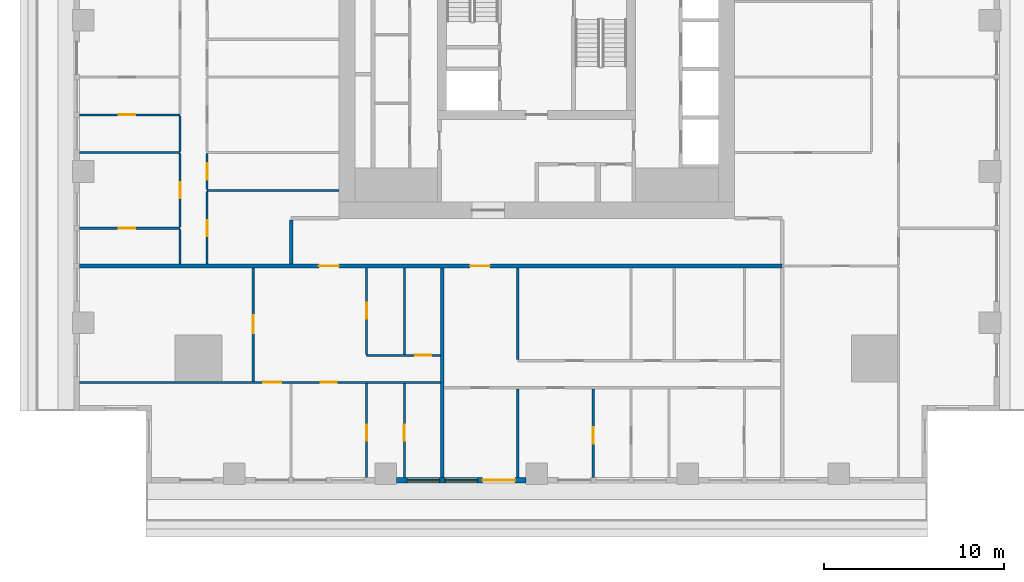
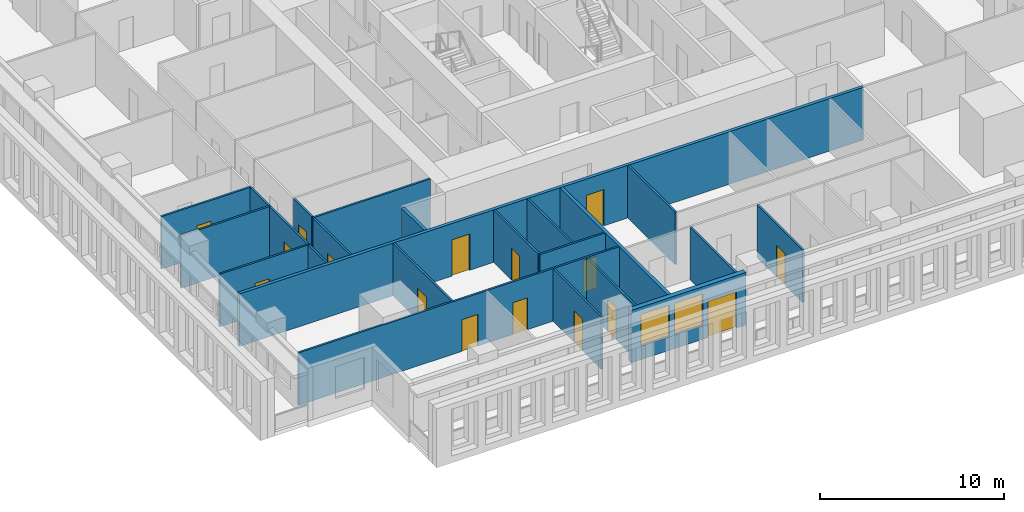
# One storey, part 2 of 16: 23 walls, 16 doors, 2 windows, 18 openings.
"""IFC4 building model written with IfcOpenShell, lengths in metres."""

from ifc_helpers import new_model, si_unit, direction, frame, frame_2d, origin, place, context, subcontext, project, spatial, rectangle, extrude, material, layer, layer_set, type_object, element, fill, save


model = new_model("IFC4")

# Units and contexts
model_context = context("Model", 3, precision=1e-05, world=origin(), true_north=direction((0.0, 1.0)))
body_context = subcontext(model_context, "Body", "Model", "MODEL_VIEW")
ifc_project = project(units=[si_unit("LENGTHUNIT", "METRE"), si_unit("AREAUNIT", "SQUARE_METRE"), si_unit("VOLUMEUNIT", "CUBIC_METRE"), si_unit("PLANEANGLEUNIT", "RADIAN"), si_unit("MASSUNIT", "GRAM", prefix="KILO")], contexts=[model_context])

# Site, building, storey
site_placement = place(None, origin())
site = spatial("IfcSite", under=ifc_project, at=site_placement, CompositionType="ELEMENT")
building_placement = place(site_placement, origin())
building = spatial("IfcBuilding", under=site, at=building_placement, Name="Khepri Terraces", CompositionType="ELEMENT")
storey_placement = place(building_placement, frame((0.0, 0.0, 157.199951171875)))
storey = spatial("IfcBuildingStorey", under=building, at=storey_placement, Name="L37", CompositionType="ELEMENT", Elevation=157.199951171875)

# Wall
ifc_material_1 = material(Name="Fire-rated gypsum plasterboard partition, mineral wool")
ifc_layer_1 = layer(ifc_material_1, 0.199951171875, Name="Fire-rated gypsum plasterboard partition, mineral wool")
ifc_layer_set_1 = layer_set([ifc_layer_1], Name="Fire-rated gypsum plasterboard partition, mineral wool")
wall_type_1 = type_object("IfcWallType", Name="WL-CORR-200", PredefinedType="PARTITIONING", material=ifc_layer_set_1)
wall_1_placement = place(storey_placement, frame((-5.25, -25.419921875, 0.0), z_axis=(0.0, 0.0, 1.0), x_axis=(0.0, 1.0, 0.0)))
element("IfcWall", 1, at=wall_1_placement, inside=storey, type_object=wall_type_1, Name="Partition P-004 L37", PredefinedType="PARTITIONING", context=body_context, shape_type="SweptSolid", body=[
    extrude(rectangle(XDim=11.669921875, YDim=0.199951171875, at=frame_2d((5.8349609375, 0.0))), origin(), (0.0, 0.0, 1.0), 3.47998046875),
])

# Wall, openings, doors
wall_2_placement = place(storey_placement, frame((-25.419921875, -13.64990234375, 0.0), z_axis=(0.0, 0.0, 1.0), x_axis=(1.0, 0.0, 0.0)))
wall_2 = element("IfcWall", 2, at=wall_2_placement, inside=storey, type_object=wall_type_1, Name="Partition P-023 L37", PredefinedType="PARTITIONING", context=body_context, shape_type="SweptSolid", body=[
    extrude(rectangle(XDim=39.06982421875, YDim=0.199951171875, at=frame_2d((19.534912109375, 0.0))), origin(), (0.0, 0.0, 1.0), 3.47998046875),
])
opening_1_placement = place(wall_2_placement, frame((13.320068359375, 0.0, 0.0)))
opening_1 = element("IfcOpeningElement", 3, at=opening_1_placement, cuts=wall_2, Name="Opening D1", PredefinedType="OPENING", context=body_context, shape_type="SweptSolid", body=[
    extrude(rectangle(XDim=1.10009765625, YDim=2.39990234375, at=frame_2d((0.550048828125, 1.199951171875))), frame((0.0, 0.10986328125, 0.0), z_axis=(0.0, -1.0, 0.0), x_axis=(1.0, 0.0, 0.0)), (0.0, 0.0, 1.0), 0.219970703125),
])
opening_2_placement = place(wall_2_placement, frame((21.719970703125, 0.0, 0.0)))
opening_2 = element("IfcOpeningElement", 4, at=opening_2_placement, cuts=wall_2, Name="Opening D1", PredefinedType="OPENING", context=body_context, shape_type="SweptSolid", body=[
    extrude(rectangle(XDim=1.10009765625, YDim=2.39990234375, at=frame_2d((0.550048828125, 1.199951171875))), frame((0.0, 0.10986328125, 0.0), z_axis=(0.0, -1.0, 0.0), x_axis=(1.0, 0.0, 0.0)), (0.0, 0.0, 1.0), 0.219970703125),
])
ifc_material_2 = material(Name="Solid-core timber door leaf, flat entrance door", Category="wood")
door_type_1 = type_object("IfcDoorType", Name="DR-ENT-1100", OperationType="NOTDEFINED", PredefinedType="DOOR", material=ifc_material_2)
door_1_placement = place(opening_1_placement, frame((1.10009765625, 0.0, 0.0), z_axis=(0.0, 0.0, 1.0), x_axis=(-1.0, 0.0, 0.0)))
door_1 = element("IfcDoor", 5, at=door_1_placement, inside=storey, type_object=door_type_1, Name="Flat A1 entrance door", OperationType="SINGLE_SWING_RIGHT", OverallHeight=2.39990234375, OverallWidth=1.10009765625, PredefinedType="DOOR", context=body_context, shape_type="SweptSolid", body=[
    extrude(rectangle(XDim=1.10009765625, YDim=2.39990234375, at=frame_2d((0.550048828125, 1.199951171875))), frame((0.0, 0.02490234375, 0.0), z_axis=(0.0, -1.0, 0.0), x_axis=(1.0, 0.0, 0.0)), (0.0, 0.0, 1.0), 0.050048828125),
])
fill(opening_1, door_1)
door_2_placement = place(opening_2_placement, frame((1.10009765625, 0.0, 0.0), z_axis=(0.0, 0.0, 1.0), x_axis=(-1.0, 0.0, 0.0)))
door_2 = element("IfcDoor", 6, at=door_2_placement, inside=storey, type_object=door_type_1, Name="Flat A2 entrance door", OperationType="SINGLE_SWING_LEFT", OverallHeight=2.39990234375, OverallWidth=1.10009765625, PredefinedType="DOOR", context=body_context, shape_type="SweptSolid", body=[
    extrude(rectangle(XDim=1.10009765625, YDim=2.39990234375, at=frame_2d((0.550048828125, 1.199951171875))), frame((0.0, 0.02490234375, 0.0), z_axis=(0.0, -1.0, 0.0), x_axis=(1.0, 0.0, 0.0)), (0.0, 0.0, 1.0), 0.050048828125),
])
fill(opening_2, door_2)

# Wall
wall_3_placement = place(storey_placement, frame((-13.64990234375, -13.550048828125, 0.0), z_axis=(0.0, 0.0, 1.0), x_axis=(0.0, 1.0, 0.0)))
element("IfcWall", 7, at=wall_3_placement, inside=storey, type_object=wall_type_1, Name="Partition P-028 L37", PredefinedType="PARTITIONING", context=body_context, shape_type="SweptSolid", body=[
    extrude(rectangle(XDim=2.449951171875, YDim=0.199951171875, at=frame_2d((1.22509765625, 0.0))), origin(), (0.0, 0.0, 1.0), 3.47998046875),
])

# Wall, openings, door, windows
ifc_material_3 = material(Name="Precast concrete C50/60 warm stone", Category="masonry")
ifc_layer_2 = layer(ifc_material_3, 0.300048828125, Name="Precast concrete C50/60 warm stone", Category="masonry")
ifc_layer_set_2 = layer_set([ifc_layer_2], Name="Precast concrete C50/60 warm stone")
wall_type_2 = type_object("IfcWallType", Name="WL-EXT-PRECAST-300", PredefinedType="STANDARD", material=ifc_layer_set_2)
wall_4_placement = place(storey_placement, frame((-7.800048828125, -25.570068359375, 0.0), z_axis=(0.0, 0.0, 1.0), x_axis=(1.0, 0.0, 0.0)))
wall_4 = element("IfcWall", 8, at=wall_4_placement, inside=storey, type_object=wall_type_2, Name="External wall L37 S", PredefinedType="STANDARD", context=body_context, shape_type="SweptSolid", body=[
    extrude(rectangle(XDim=7.199951171875, YDim=0.300048828125, at=frame_2d((3.60009765625, 0.0))), origin(), (0.0, 0.0, 1.0), 3.47998046875),
])
opening_3_placement = place(wall_4_placement, frame((0.60009765625, 0.0, 0.89990234375)))
opening_3 = element("IfcOpeningElement", 9, at=opening_3_placement, cuts=wall_4, Name="Opening W1", PredefinedType="OPENING", context=body_context, shape_type="SweptSolid", body=[
    extrude(rectangle(XDim=1.800048828125, YDim=2.10009765625, at=frame_2d((0.89990234375, 1.050048828125))), frame((0.0, 0.16015625, 0.0), z_axis=(0.0, -1.0, 0.0), x_axis=(1.0, 0.0, 0.0)), (0.0, 0.0, 1.0), 0.320068359375),
])
opening_4_placement = place(wall_4_placement, frame((2.699951171875, 0.0, 0.89990234375)))
opening_4 = element("IfcOpeningElement", 10, at=opening_4_placement, cuts=wall_4, Name="Opening W1", PredefinedType="OPENING", context=body_context, shape_type="SweptSolid", body=[
    extrude(rectangle(XDim=1.800048828125, YDim=2.10009765625, at=frame_2d((0.89990234375, 1.050048828125))), frame((0.0, 0.16015625, 0.0), z_axis=(0.0, -1.0, 0.0), x_axis=(1.0, 0.0, 0.0)), (0.0, 0.0, 1.0), 0.320068359375),
])
opening_5_placement = place(wall_4_placement, frame((4.800048828125, 0.0, 0.0)))
opening_5 = element("IfcOpeningElement", 11, at=opening_5_placement, cuts=wall_4, Name="Opening ED-L37-23", PredefinedType="OPENING", context=body_context, shape_type="SweptSolid", body=[
    extrude(rectangle(XDim=1.800048828125, YDim=2.39990234375, at=frame_2d((0.89990234375, 1.199951171875))), frame((0.0, 0.16015625, 0.0), z_axis=(0.0, -1.0, 0.0), x_axis=(1.0, 0.0, 0.0)), (0.0, 0.0, 1.0), 0.320068359375),
])
ifc_material_4 = material(Name="Anodised aluminium bronze glazed door", Category="aluminium")
door_type_2 = type_object("IfcDoorType", Name="DR-BAL-SLIDE-1800x2400", OperationType="NOTDEFINED", PredefinedType="DOOR", material=ifc_material_4)
door_3_placement = place(opening_5_placement, origin())
door_3 = element("IfcDoor", 12, at=door_3_placement, inside=storey, type_object=door_type_2, Name="Balcony door L37 S", OperationType="SLIDING_TO_RIGHT", OverallHeight=2.39990234375, OverallWidth=1.800048828125, PredefinedType="DOOR", context=body_context, shape_type="SweptSolid", body=[
    extrude(rectangle(XDim=1.800048828125, YDim=2.39990234375, at=frame_2d((0.89990234375, 1.199951171875))), frame((0.0, 0.02490234375, 0.0), z_axis=(0.0, -1.0, 0.0), x_axis=(1.0, 0.0, 0.0)), (0.0, 0.0, 1.0), 0.050048828125),
])
fill(opening_5, door_3)
ifc_material_5 = material(Name="Clear glass", Category="glass")
window_type = type_object("IfcWindowType", Name="WIN-RES-1800x2100", PartitioningType="SINGLE_PANEL", PredefinedType="WINDOW", material=ifc_material_5)
window_1_placement = place(opening_3_placement, origin())
window_1 = element("IfcWindow", 13, at=window_1_placement, inside=storey, type_object=window_type, Name="Window L37 S", OverallHeight=2.10009765625, OverallWidth=1.800048828125, PartitioningType="SINGLE_PANEL", PredefinedType="WINDOW", context=body_context, shape_type="SweptSolid", body=[
    extrude(rectangle(XDim=1.800048828125, YDim=2.10009765625, at=frame_2d((0.89990234375, 1.050048828125))), frame((0.0, 0.030029296875, 0.0), z_axis=(0.0, -1.0, 0.0), x_axis=(1.0, 0.0, 0.0)), (0.0, 0.0, 1.0), 0.06005859375),
])
fill(opening_3, window_1)
window_2_placement = place(opening_4_placement, origin())
window_2 = element("IfcWindow", 14, at=window_2_placement, inside=storey, type_object=window_type, Name="Window L37 S", OverallHeight=2.10009765625, OverallWidth=1.800048828125, PartitioningType="SINGLE_PANEL", PredefinedType="WINDOW", context=body_context, shape_type="SweptSolid", body=[
    extrude(rectangle(XDim=1.800048828125, YDim=2.10009765625, at=frame_2d((0.89990234375, 1.050048828125))), frame((0.0, 0.030029296875, 0.0), z_axis=(0.0, -1.0, 0.0), x_axis=(1.0, 0.0, 0.0)), (0.0, 0.0, 1.0), 0.06005859375),
])
fill(opening_4, window_2)

# Wall, opening, door
ifc_material_6 = material(Name="Gypsum plasterboard partition")
ifc_layer_3 = layer(ifc_material_6, 0.1201171875, Name="Gypsum plasterboard partition")
ifc_layer_set_3 = layer_set([ifc_layer_3], Name="Gypsum plasterboard partition")
wall_type_3 = type_object("IfcWallType", Name="WL-PART-120", PredefinedType="PARTITIONING", material=ifc_layer_set_3)
wall_5_placement = place(storey_placement, frame((-9.449951171875, -25.419921875, 0.0), z_axis=(0.0, 0.0, 1.0), x_axis=(0.0, 1.0, 0.0)))
wall_5 = element("IfcWall", 15, at=wall_5_placement, inside=storey, type_object=wall_type_3, Name="Partition P-002 L37", PredefinedType="PARTITIONING", context=body_context, shape_type="SweptSolid", body=[
    extrude(rectangle(XDim=5.239990234375, YDim=0.1201171875, at=frame_2d((2.6201171875, 0.0))), origin(), (0.0, 0.0, 1.0), 3.47998046875),
])
opening_6_placement = place(wall_5_placement, frame((2.050048828125, 0.0, 0.0)))
opening_6 = element("IfcOpeningElement", 16, at=opening_6_placement, cuts=wall_5, Name="Opening D3", PredefinedType="OPENING", context=body_context, shape_type="SweptSolid", body=[
    extrude(rectangle(XDim=0.89990234375, YDim=2.10009765625, at=frame_2d((0.449951171875, 1.050048828125))), frame((0.0, 0.070068359375, 0.0), z_axis=(0.0, -1.0, 0.0), x_axis=(1.0, 0.0, 0.0)), (0.0, 0.0, 1.0), 0.14013671875),
])
ifc_material_7 = material(Name="Timber door leaf", Category="wood")
door_type_3 = type_object("IfcDoorType", Name="DR-INT-900", OperationType="NOTDEFINED", PredefinedType="DOOR", material=ifc_material_7)
door_4_placement = place(opening_6_placement, frame((0.89990234375, 0.0, 0.0), z_axis=(0.0, 0.0, 1.0), x_axis=(-1.0, 0.0, 0.0)))
door_4 = element("IfcDoor", 17, at=door_4_placement, inside=storey, type_object=door_type_3, Name="Door Dressing Room", OperationType="SINGLE_SWING_RIGHT", OverallHeight=2.10009765625, OverallWidth=0.89990234375, PredefinedType="DOOR", context=body_context, shape_type="SweptSolid", body=[
    extrude(rectangle(XDim=0.89990234375, YDim=2.10009765625, at=frame_2d((0.449951171875, 1.050048828125))), frame((0.0, 0.02490234375, 0.0), z_axis=(0.0, -1.0, 0.0), x_axis=(1.0, 0.0, 0.0)), (0.0, 0.0, 1.0), 0.050048828125),
])
fill(opening_6, door_4)

wall_6_placement = place(storey_placement, frame((-7.35009765625, -25.419921875, 0.0), z_axis=(0.0, 0.0, 1.0), x_axis=(0.0, 1.0, 0.0)))
wall_6 = element("IfcWall", 18, at=wall_6_placement, inside=storey, type_object=wall_type_3, Name="Partition P-003 L37", PredefinedType="PARTITIONING", context=body_context, shape_type="SweptSolid", body=[
    extrude(rectangle(XDim=5.239990234375, YDim=0.1201171875, at=frame_2d((2.6201171875, 0.0))), origin(), (0.0, 0.0, 1.0), 3.47998046875),
])
opening_7_placement = place(wall_6_placement, frame((2.050048828125, 0.0, 0.0)))
opening_7 = element("IfcOpeningElement", 19, at=opening_7_placement, cuts=wall_6, Name="Opening D4", PredefinedType="OPENING", context=body_context, shape_type="SweptSolid", body=[
    extrude(rectangle(XDim=0.89990234375, YDim=2.10009765625, at=frame_2d((0.449951171875, 1.050048828125))), frame((0.0, 0.070068359375, 0.0), z_axis=(0.0, -1.0, 0.0), x_axis=(1.0, 0.0, 0.0)), (0.0, 0.0, 1.0), 0.14013671875),
])
ifc_material_8 = material(Name="Timber door leaf, moisture resistant", Category="wood")
door_type_4 = type_object("IfcDoorType", Name="DR-WET-900", OperationType="NOTDEFINED", PredefinedType="DOOR", material=ifc_material_8)
door_5_placement = place(opening_7_placement, frame((0.89990234375, 0.0, 0.0), z_axis=(0.0, 0.0, 1.0), x_axis=(-1.0, 0.0, 0.0)))
door_5 = element("IfcDoor", 20, at=door_5_placement, inside=storey, type_object=door_type_4, Name="Door Bathroom", OperationType="SINGLE_SWING_RIGHT", OverallHeight=2.10009765625, OverallWidth=0.89990234375, PredefinedType="DOOR", context=body_context, shape_type="SweptSolid", body=[
    extrude(rectangle(XDim=0.89990234375, YDim=2.10009765625, at=frame_2d((0.449951171875, 1.050048828125))), frame((0.0, 0.02490234375, 0.0), z_axis=(0.0, -1.0, 0.0), x_axis=(1.0, 0.0, 0.0)), (0.0, 0.0, 1.0), 0.050048828125),
])
fill(opening_7, door_5)

# Wall
wall_7_placement = place(storey_placement, frame((-1.050048828125, -25.419921875, 0.0), z_axis=(0.0, 0.0, 1.0), x_axis=(0.0, 1.0, 0.0)))
element("IfcWall", 21, at=wall_7_placement, inside=storey, type_object=wall_type_3, Name="Partition P-005 L37", PredefinedType="PARTITIONING", context=body_context, shape_type="SweptSolid", body=[
    extrude(rectangle(XDim=4.93994140625, YDim=0.1201171875, at=frame_2d((2.469970703125, 0.0))), origin(), (0.0, 0.0, 1.0), 3.47998046875),
])

# Wall, opening, door
wall_8_placement = place(storey_placement, frame((3.14990234375, -25.419921875, 0.0), z_axis=(0.0, 0.0, 1.0), x_axis=(0.0, 1.0, 0.0)))
wall_8 = element("IfcWall", 22, at=wall_8_placement, inside=storey, type_object=wall_type_3, Name="Partition P-006 L37", PredefinedType="PARTITIONING", context=body_context, shape_type="SweptSolid", body=[
    extrude(rectangle(XDim=4.93994140625, YDim=0.1201171875, at=frame_2d((2.469970703125, 0.0))), origin(), (0.0, 0.0, 1.0), 3.47998046875),
])
opening_8_placement = place(wall_8_placement, frame((1.89990234375, 0.0, 0.0)))
opening_8 = element("IfcOpeningElement", 23, at=opening_8_placement, cuts=wall_8, Name="Opening D3", PredefinedType="OPENING", context=body_context, shape_type="SweptSolid", body=[
    extrude(rectangle(XDim=0.89990234375, YDim=2.10009765625, at=frame_2d((0.449951171875, 1.050048828125))), frame((0.0, 0.070068359375, 0.0), z_axis=(0.0, -1.0, 0.0), x_axis=(1.0, 0.0, 0.0)), (0.0, 0.0, 1.0), 0.14013671875),
])
door_6_placement = place(opening_8_placement, frame((0.89990234375, 0.0, 0.0), z_axis=(0.0, 0.0, 1.0), x_axis=(-1.0, 0.0, 0.0)))
door_6 = element("IfcDoor", 24, at=door_6_placement, inside=storey, type_object=door_type_3, Name="Door Dressing Room", OperationType="SINGLE_SWING_RIGHT", OverallHeight=2.10009765625, OverallWidth=0.89990234375, PredefinedType="DOOR", context=body_context, shape_type="SweptSolid", body=[
    extrude(rectangle(XDim=0.89990234375, YDim=2.10009765625, at=frame_2d((0.449951171875, 1.050048828125))), frame((0.0, 0.02490234375, 0.0), z_axis=(0.0, -1.0, 0.0), x_axis=(1.0, 0.0, 0.0)), (0.0, 0.0, 1.0), 0.050048828125),
])
fill(opening_8, door_6)

# Wall, openings, doors
wall_9_placement = place(storey_placement, frame((-25.419921875, -20.1201171875, 0.0), z_axis=(0.0, 0.0, 1.0), x_axis=(1.0, 0.0, 0.0)))
wall_9 = element("IfcWall", 25, at=wall_9_placement, inside=storey, type_object=wall_type_3, Name="Partition P-013 L37", PredefinedType="PARTITIONING", context=body_context, shape_type="SweptSolid", body=[
    extrude(rectangle(XDim=20.06982421875, YDim=0.1201171875, at=frame_2d((10.034912109375, 0.0))), origin(), (0.0, 0.0, 1.0), 3.47998046875),
])
opening_9_placement = place(wall_9_placement, frame((10.219970703125, 0.0, 0.0)))
opening_9 = element("IfcOpeningElement", 26, at=opening_9_placement, cuts=wall_9, Name="Opening D2", PredefinedType="OPENING", context=body_context, shape_type="SweptSolid", body=[
    extrude(rectangle(XDim=1.0, YDim=2.10009765625, at=frame_2d((0.5, 1.050048828125))), frame((0.0, 0.070068359375, 0.0), z_axis=(0.0, -1.0, 0.0), x_axis=(1.0, 0.0, 0.0)), (0.0, 0.0, 1.0), 0.14013671875),
])
opening_10_placement = place(wall_9_placement, frame((13.419921875, 0.0, 0.0)))
opening_10 = element("IfcOpeningElement", 27, at=opening_10_placement, cuts=wall_9, Name="Opening D3", PredefinedType="OPENING", context=body_context, shape_type="SweptSolid", body=[
    extrude(rectangle(XDim=0.89990234375, YDim=2.10009765625, at=frame_2d((0.449951171875, 1.050048828125))), frame((0.0, 0.070068359375, 0.0), z_axis=(0.0, -1.0, 0.0), x_axis=(1.0, 0.0, 0.0)), (0.0, 0.0, 1.0), 0.14013671875),
])
ifc_material_9 = material(Name="Timber door leaf, living room door", Category="wood")
door_type_5 = type_object("IfcDoorType", Name="DR-INT-1000", OperationType="NOTDEFINED", PredefinedType="DOOR", material=ifc_material_9)
door_7_placement = place(opening_9_placement, frame((1.0, 0.0, 0.0), z_axis=(0.0, 0.0, 1.0), x_axis=(-1.0, 0.0, 0.0)))
door_7 = element("IfcDoor", 28, at=door_7_placement, inside=storey, type_object=door_type_5, Name="Door Living Room", OperationType="SINGLE_SWING_LEFT", OverallHeight=2.10009765625, OverallWidth=1.0, PredefinedType="DOOR", context=body_context, shape_type="SweptSolid", body=[
    extrude(rectangle(XDim=1.0, YDim=2.10009765625, at=frame_2d((0.5, 1.050048828125))), frame((0.0, 0.02490234375, 0.0), z_axis=(0.0, -1.0, 0.0), x_axis=(1.0, 0.0, 0.0)), (0.0, 0.0, 1.0), 0.050048828125),
])
fill(opening_9, door_7)
door_8_placement = place(opening_10_placement, frame((0.89990234375, 0.0, 0.0), z_axis=(0.0, 0.0, 1.0), x_axis=(-1.0, 0.0, 0.0)))
door_8 = element("IfcDoor", 29, at=door_8_placement, inside=storey, type_object=door_type_3, Name="Door Master Bedroom", OperationType="SINGLE_SWING_LEFT", OverallHeight=2.10009765625, OverallWidth=0.89990234375, PredefinedType="DOOR", context=body_context, shape_type="SweptSolid", body=[
    extrude(rectangle(XDim=0.89990234375, YDim=2.10009765625, at=frame_2d((0.449951171875, 1.050048828125))), frame((0.0, 0.02490234375, 0.0), z_axis=(0.0, -1.0, 0.0), x_axis=(1.0, 0.0, 0.0)), (0.0, 0.0, 1.0), 0.050048828125),
])
fill(opening_10, door_8)

# Wall, opening, door
wall_10_placement = place(storey_placement, frame((-15.75, -20.06005859375, 0.0), z_axis=(0.0, 0.0, 1.0), x_axis=(0.0, 1.0, 0.0)))
wall_10 = element("IfcWall", 30, at=wall_10_placement, inside=storey, type_object=wall_type_3, Name="Partition P-014 L37", PredefinedType="PARTITIONING", context=body_context, shape_type="SweptSolid", body=[
    extrude(rectangle(XDim=6.31005859375, YDim=0.1201171875, at=frame_2d((3.155029296875, 0.0))), origin(), (0.0, 0.0, 1.0), 3.47998046875),
])
opening_11_placement = place(wall_10_placement, frame((2.675048828125, 0.0, 0.0)))
opening_11 = element("IfcOpeningElement", 31, at=opening_11_placement, cuts=wall_10, Name="Opening D2", PredefinedType="OPENING", context=body_context, shape_type="SweptSolid", body=[
    extrude(rectangle(XDim=1.0, YDim=2.10009765625, at=frame_2d((0.5, 1.050048828125))), frame((0.0, 0.070068359375, 0.0), z_axis=(0.0, -1.0, 0.0), x_axis=(1.0, 0.0, 0.0)), (0.0, 0.0, 1.0), 0.14013671875),
])
door_9_placement = place(opening_11_placement, origin())
door_9 = element("IfcDoor", 32, at=door_9_placement, inside=storey, type_object=door_type_5, Name="Door Family Room", OperationType="SINGLE_SWING_RIGHT", OverallHeight=2.10009765625, OverallWidth=1.0, PredefinedType="DOOR", context=body_context, shape_type="SweptSolid", body=[
    extrude(rectangle(XDim=1.0, YDim=2.10009765625, at=frame_2d((0.5, 1.050048828125))), frame((0.0, 0.02490234375, 0.0), z_axis=(0.0, -1.0, 0.0), x_axis=(1.0, 0.0, 0.0)), (0.0, 0.0, 1.0), 0.050048828125),
])
fill(opening_11, door_9)

# Wall
wall_11_placement = place(storey_placement, frame((-1.050048828125, -18.860107421875, 0.0), z_axis=(0.0, 0.0, 1.0), x_axis=(0.0, 1.0, 0.0)))
element("IfcWall", 33, at=wall_11_placement, inside=storey, type_object=wall_type_3, Name="Partition P-016 L37", PredefinedType="PARTITIONING", context=body_context, shape_type="SweptSolid", body=[
    extrude(rectangle(XDim=5.110107421875, YDim=0.1201171875, at=frame_2d((2.55517578125, 0.0))), origin(), (0.0, 0.0, 1.0), 3.47998046875),
])

# Wall, opening, door
wall_12_placement = place(storey_placement, frame((-9.449951171875, -18.6201171875, 0.0), z_axis=(0.0, 0.0, 1.0), x_axis=(1.0, 0.0, 0.0)))
wall_12 = element("IfcWall", 34, at=wall_12_placement, inside=storey, type_object=wall_type_3, Name="Partition P-020 L37", PredefinedType="PARTITIONING", context=body_context, shape_type="SweptSolid", body=[
    extrude(rectangle(XDim=4.099853515625, YDim=0.1201171875, at=frame_2d((2.0498046875, 0.0))), origin(), (0.0, 0.0, 1.0), 3.47998046875),
])
opening_12_placement = place(wall_12_placement, frame((2.699951171875, 0.0, 0.0)))
opening_12 = element("IfcOpeningElement", 35, at=opening_12_placement, cuts=wall_12, Name="Opening D3", PredefinedType="OPENING", context=body_context, shape_type="SweptSolid", body=[
    extrude(rectangle(XDim=0.89990234375, YDim=2.10009765625, at=frame_2d((0.449951171875, 1.050048828125))), frame((0.0, 0.070068359375, 0.0), z_axis=(0.0, -1.0, 0.0), x_axis=(1.0, 0.0, 0.0)), (0.0, 0.0, 1.0), 0.14013671875),
])
door_10_placement = place(opening_12_placement, origin())
door_10 = element("IfcDoor", 36, at=door_10_placement, inside=storey, type_object=door_type_3, Name="Door Kitchen", OperationType="SINGLE_SWING_RIGHT", OverallHeight=2.10009765625, OverallWidth=0.89990234375, PredefinedType="DOOR", context=body_context, shape_type="SweptSolid", body=[
    extrude(rectangle(XDim=0.89990234375, YDim=2.10009765625, at=frame_2d((0.449951171875, 1.050048828125))), frame((0.0, 0.02490234375, 0.0), z_axis=(0.0, -1.0, 0.0), x_axis=(1.0, 0.0, 0.0)), (0.0, 0.0, 1.0), 0.050048828125),
])
fill(opening_12, door_10)

wall_13_placement = place(storey_placement, frame((-9.449951171875, -18.56005859375, 0.0), z_axis=(0.0, 0.0, 1.0), x_axis=(0.0, 1.0, 0.0)))
wall_13 = element("IfcWall", 37, at=wall_13_placement, inside=storey, type_object=wall_type_3, Name="Partition P-021 L37", PredefinedType="PARTITIONING", context=body_context, shape_type="SweptSolid", body=[
    extrude(rectangle(XDim=4.81005859375, YDim=0.1201171875, at=frame_2d((2.405029296875, 0.0))), origin(), (0.0, 0.0, 1.0), 3.47998046875),
])
opening_13_placement = place(wall_13_placement, frame((1.97509765625, 0.0, 0.0)))
opening_13 = element("IfcOpeningElement", 38, at=opening_13_placement, cuts=wall_13, Name="Opening D4", PredefinedType="OPENING", context=body_context, shape_type="SweptSolid", body=[
    extrude(rectangle(XDim=0.89990234375, YDim=2.10009765625, at=frame_2d((0.449951171875, 1.050048828125))), frame((0.0, 0.070068359375, 0.0), z_axis=(0.0, -1.0, 0.0), x_axis=(1.0, 0.0, 0.0)), (0.0, 0.0, 1.0), 0.14013671875),
])
door_11_placement = place(opening_13_placement, frame((0.89990234375, 0.0, 0.0), z_axis=(0.0, 0.0, 1.0), x_axis=(-1.0, 0.0, 0.0)))
door_11 = element("IfcDoor", 39, at=door_11_placement, inside=storey, type_object=door_type_4, Name="Door Guest Bathroom", OperationType="SINGLE_SWING_LEFT", OverallHeight=2.10009765625, OverallWidth=0.89990234375, PredefinedType="DOOR", context=body_context, shape_type="SweptSolid", body=[
    extrude(rectangle(XDim=0.89990234375, YDim=2.10009765625, at=frame_2d((0.449951171875, 1.050048828125))), frame((0.0, 0.02490234375, 0.0), z_axis=(0.0, -1.0, 0.0), x_axis=(1.0, 0.0, 0.0)), (0.0, 0.0, 1.0), 0.050048828125),
])
fill(opening_13, door_11)

# Walls
wall_14_placement = place(storey_placement, frame((-7.35009765625, -18.56005859375, 0.0), z_axis=(0.0, 0.0, 1.0), x_axis=(0.0, 1.0, 0.0)))
element("IfcWall", 40, at=wall_14_placement, inside=storey, type_object=wall_type_3, Name="Partition P-022 L37", PredefinedType="PARTITIONING", context=body_context, shape_type="SweptSolid", body=[
    extrude(rectangle(XDim=4.81005859375, YDim=0.1201171875, at=frame_2d((2.405029296875, 0.0))), origin(), (0.0, 0.0, 1.0), 3.47998046875),
])
wall_15_placement = place(storey_placement, frame((-19.820068359375, -13.550048828125, 0.0), z_axis=(0.0, 0.0, 1.0), x_axis=(0.0, 1.0, 0.0)))
element("IfcWall", 41, at=wall_15_placement, inside=storey, type_object=wall_type_3, Name="Partition P-026 L37", PredefinedType="PARTITIONING", context=body_context, shape_type="SweptSolid", body=[
    extrude(rectangle(XDim=1.93994140625, YDim=0.1201171875, at=frame_2d((0.969970703125, 0.0))), origin(), (0.0, 0.0, 1.0), 3.47998046875),
])

# Wall, opening, door
wall_16_placement = place(storey_placement, frame((-18.320068359375, -13.550048828125, 0.0), z_axis=(0.0, 0.0, 1.0), x_axis=(0.0, 1.0, 0.0)))
wall_16 = element("IfcWall", 42, at=wall_16_placement, inside=storey, type_object=wall_type_3, Name="Partition P-027 L37", PredefinedType="PARTITIONING", context=body_context, shape_type="SweptSolid", body=[
    extrude(rectangle(XDim=4.0400390625, YDim=0.1201171875, at=frame_2d((2.02001953125, 0.0))), origin(), (0.0, 0.0, 1.0), 3.47998046875),
])
opening_14_placement = place(wall_16_placement, frame((1.550048828125, 0.0, 0.0)))
opening_14 = element("IfcOpeningElement", 43, at=opening_14_placement, cuts=wall_16, Name="Opening D3", PredefinedType="OPENING", context=body_context, shape_type="SweptSolid", body=[
    extrude(rectangle(XDim=0.89990234375, YDim=2.10009765625, at=frame_2d((0.449951171875, 1.050048828125))), frame((0.0, 0.070068359375, 0.0), z_axis=(0.0, -1.0, 0.0), x_axis=(1.0, 0.0, 0.0)), (0.0, 0.0, 1.0), 0.14013671875),
])
door_12_placement = place(opening_14_placement, frame((0.89990234375, 0.0, 0.0), z_axis=(0.0, 0.0, 1.0), x_axis=(-1.0, 0.0, 0.0)))
door_12 = element("IfcDoor", 44, at=door_12_placement, inside=storey, type_object=door_type_3, Name="Door Utility Room", OperationType="SINGLE_SWING_RIGHT", OverallHeight=2.10009765625, OverallWidth=0.89990234375, PredefinedType="DOOR", context=body_context, shape_type="SweptSolid", body=[
    extrude(rectangle(XDim=0.89990234375, YDim=2.10009765625, at=frame_2d((0.449951171875, 1.050048828125))), frame((0.0, 0.02490234375, 0.0), z_axis=(0.0, -1.0, 0.0), x_axis=(1.0, 0.0, 0.0)), (0.0, 0.0, 1.0), 0.050048828125),
])
fill(opening_14, door_12)

wall_17_placement = place(storey_placement, frame((-25.419921875, -11.550048828125, 0.0), z_axis=(0.0, 0.0, 1.0), x_axis=(1.0, 0.0, 0.0)))
wall_17 = element("IfcWall", 45, at=wall_17_placement, inside=storey, type_object=wall_type_3, Name="Partition P-030 L37", PredefinedType="PARTITIONING", context=body_context, shape_type="SweptSolid", body=[
    extrude(rectangle(XDim=5.599853515625, YDim=0.1201171875, at=frame_2d((2.7998046875, 0.0))), origin(), (0.0, 0.0, 1.0), 3.47998046875),
])
opening_15_placement = place(wall_17_placement, frame((2.199951171875, 0.0, 0.0)))
opening_15 = element("IfcOpeningElement", 46, at=opening_15_placement, cuts=wall_17, Name="Opening D4", PredefinedType="OPENING", context=body_context, shape_type="SweptSolid", body=[
    extrude(rectangle(XDim=0.89990234375, YDim=2.10009765625, at=frame_2d((0.449951171875, 1.050048828125))), frame((0.0, 0.070068359375, 0.0), z_axis=(0.0, -1.0, 0.0), x_axis=(1.0, 0.0, 0.0)), (0.0, 0.0, 1.0), 0.14013671875),
])
door_13_placement = place(opening_15_placement, frame((0.89990234375, 0.0, 0.0), z_axis=(0.0, 0.0, 1.0), x_axis=(-1.0, 0.0, 0.0)))
door_13 = element("IfcDoor", 47, at=door_13_placement, inside=storey, type_object=door_type_4, Name="Door Bathroom", OperationType="SINGLE_SWING_RIGHT", OverallHeight=2.10009765625, OverallWidth=0.89990234375, PredefinedType="DOOR", context=body_context, shape_type="SweptSolid", body=[
    extrude(rectangle(XDim=0.89990234375, YDim=2.10009765625, at=frame_2d((0.449951171875, 1.050048828125))), frame((0.0, 0.02490234375, 0.0), z_axis=(0.0, -1.0, 0.0), x_axis=(1.0, 0.0, 0.0)), (0.0, 0.0, 1.0), 0.050048828125),
])
fill(opening_15, door_13)

wall_18_placement = place(storey_placement, frame((-19.820068359375, -11.489990234375, 0.0), z_axis=(0.0, 0.0, 1.0), x_axis=(0.0, 1.0, 0.0)))
wall_18 = element("IfcWall", 48, at=wall_18_placement, inside=storey, type_object=wall_type_3, Name="Partition P-032 L37", PredefinedType="PARTITIONING", context=body_context, shape_type="SweptSolid", body=[
    extrude(rectangle(XDim=4.080078125, YDim=0.1201171875, at=frame_2d((2.0400390625, 0.0))), origin(), (0.0, 0.0, 1.0), 3.47998046875),
])
opening_16_placement = place(wall_18_placement, frame((1.590087890625, 0.0, 0.0)))
opening_16 = element("IfcOpeningElement", 49, at=opening_16_placement, cuts=wall_18, Name="Opening D3", PredefinedType="OPENING", context=body_context, shape_type="SweptSolid", body=[
    extrude(rectangle(XDim=0.89990234375, YDim=2.10009765625, at=frame_2d((0.449951171875, 1.050048828125))), frame((0.0, 0.070068359375, 0.0), z_axis=(0.0, -1.0, 0.0), x_axis=(1.0, 0.0, 0.0)), (0.0, 0.0, 1.0), 0.14013671875),
])
door_14_placement = place(opening_16_placement, origin())
door_14 = element("IfcDoor", 50, at=door_14_placement, inside=storey, type_object=door_type_3, Name="Door Bedroom", OperationType="SINGLE_SWING_RIGHT", OverallHeight=2.10009765625, OverallWidth=0.89990234375, PredefinedType="DOOR", context=body_context, shape_type="SweptSolid", body=[
    extrude(rectangle(XDim=0.89990234375, YDim=2.10009765625, at=frame_2d((0.449951171875, 1.050048828125))), frame((0.0, 0.02490234375, 0.0), z_axis=(0.0, -1.0, 0.0), x_axis=(1.0, 0.0, 0.0)), (0.0, 0.0, 1.0), 0.050048828125),
])
fill(opening_16, door_14)

# Wall
wall_19_placement = place(storey_placement, frame((-18.320068359375, -9.449951171875, 0.0), z_axis=(0.0, 0.0, 1.0), x_axis=(1.0, 0.0, 0.0)))
element("IfcWall", 51, at=wall_19_placement, inside=storey, type_object=wall_type_3, Name="Partition P-036 L37", PredefinedType="PARTITIONING", context=body_context, shape_type="SweptSolid", body=[
    extrude(rectangle(XDim=7.320068359375, YDim=0.1201171875, at=frame_2d((3.66015625, 0.0))), origin(), (0.0, 0.0, 1.0), 3.47998046875),
])

# Wall, opening, door
wall_20_placement = place(storey_placement, frame((-18.320068359375, -9.389892578125, 0.0), z_axis=(0.0, 0.0, 1.0), x_axis=(0.0, 1.0, 0.0)))
wall_20 = element("IfcWall", 52, at=wall_20_placement, inside=storey, type_object=wall_type_3, Name="Partition P-037 L37", PredefinedType="PARTITIONING", context=body_context, shape_type="SweptSolid", body=[
    extrude(rectangle(XDim=1.97998046875, YDim=0.1201171875, at=frame_2d((0.989990234375, 0.0))), origin(), (0.0, 0.0, 1.0), 3.47998046875),
])
opening_17_placement = place(wall_20_placement, frame((0.5400390625, 0.0, 0.0)))
opening_17 = element("IfcOpeningElement", 53, at=opening_17_placement, cuts=wall_20, Name="Opening D4", PredefinedType="OPENING", context=body_context, shape_type="SweptSolid", body=[
    extrude(rectangle(XDim=0.89990234375, YDim=2.10009765625, at=frame_2d((0.449951171875, 1.050048828125))), frame((0.0, 0.070068359375, 0.0), z_axis=(0.0, -1.0, 0.0), x_axis=(1.0, 0.0, 0.0)), (0.0, 0.0, 1.0), 0.14013671875),
])
door_15_placement = place(opening_17_placement, frame((0.89990234375, 0.0, 0.0), z_axis=(0.0, 0.0, 1.0), x_axis=(-1.0, 0.0, 0.0)))
door_15 = element("IfcDoor", 54, at=door_15_placement, inside=storey, type_object=door_type_4, Name="Door Guest Bathroom", OperationType="SINGLE_SWING_LEFT", OverallHeight=2.10009765625, OverallWidth=0.89990234375, PredefinedType="DOOR", context=body_context, shape_type="SweptSolid", body=[
    extrude(rectangle(XDim=0.89990234375, YDim=2.10009765625, at=frame_2d((0.449951171875, 1.050048828125))), frame((0.0, 0.02490234375, 0.0), z_axis=(0.0, -1.0, 0.0), x_axis=(1.0, 0.0, 0.0)), (0.0, 0.0, 1.0), 0.050048828125),
])
fill(opening_17, door_15)

# Walls
wall_21_placement = place(storey_placement, frame((-25.419921875, -7.35009765625, 0.0), z_axis=(0.0, 0.0, 1.0), x_axis=(1.0, 0.0, 0.0)))
element("IfcWall", 55, at=wall_21_placement, inside=storey, type_object=wall_type_3, Name="Partition P-038 L37", PredefinedType="PARTITIONING", context=body_context, shape_type="SweptSolid", body=[
    extrude(rectangle(XDim=5.599853515625, YDim=0.1201171875, at=frame_2d((2.7998046875, 0.0))), origin(), (0.0, 0.0, 1.0), 3.47998046875),
])
wall_22_placement = place(storey_placement, frame((-19.820068359375, -7.2900390625, 0.0), z_axis=(0.0, 0.0, 1.0), x_axis=(0.0, 1.0, 0.0)))
element("IfcWall", 56, at=wall_22_placement, inside=storey, type_object=wall_type_3, Name="Partition P-041 L37", PredefinedType="PARTITIONING", context=body_context, shape_type="SweptSolid", body=[
    extrude(rectangle(XDim=1.97998046875, YDim=0.1201171875, at=frame_2d((0.989990234375, 0.0))), origin(), (0.0, 0.0, 1.0), 3.47998046875),
])

# Wall, opening, door
wall_23_placement = place(storey_placement, frame((-25.419921875, -5.25, 0.0), z_axis=(0.0, 0.0, 1.0), x_axis=(1.0, 0.0, 0.0)))
wall_23 = element("IfcWall", 57, at=wall_23_placement, inside=storey, type_object=wall_type_3, Name="Partition P-044 L37", PredefinedType="PARTITIONING", context=body_context, shape_type="SweptSolid", body=[
    extrude(rectangle(XDim=5.599853515625, YDim=0.1201171875, at=frame_2d((2.7998046875, 0.0))), origin(), (0.0, 0.0, 1.0), 3.47998046875),
])
opening_18_placement = place(wall_23_placement, frame((2.199951171875, 0.0, 0.0)))
opening_18 = element("IfcOpeningElement", 58, at=opening_18_placement, cuts=wall_23, Name="Opening D4", PredefinedType="OPENING", context=body_context, shape_type="SweptSolid", body=[
    extrude(rectangle(XDim=0.89990234375, YDim=2.10009765625, at=frame_2d((0.449951171875, 1.050048828125))), frame((0.0, 0.070068359375, 0.0), z_axis=(0.0, -1.0, 0.0), x_axis=(1.0, 0.0, 0.0)), (0.0, 0.0, 1.0), 0.14013671875),
])
door_16_placement = place(opening_18_placement, frame((0.89990234375, 0.0, 0.0), z_axis=(0.0, 0.0, 1.0), x_axis=(-1.0, 0.0, 0.0)))
door_16 = element("IfcDoor", 59, at=door_16_placement, inside=storey, type_object=door_type_4, Name="Door Bathroom", OperationType="SINGLE_SWING_RIGHT", OverallHeight=2.10009765625, OverallWidth=0.89990234375, PredefinedType="DOOR", context=body_context, shape_type="SweptSolid", body=[
    extrude(rectangle(XDim=0.89990234375, YDim=2.10009765625, at=frame_2d((0.449951171875, 1.050048828125))), frame((0.0, 0.02490234375, 0.0), z_axis=(0.0, -1.0, 0.0), x_axis=(1.0, 0.0, 0.0)), (0.0, 0.0, 1.0), 0.050048828125),
])
fill(opening_18, door_16)

save(model, "model.ifc")
